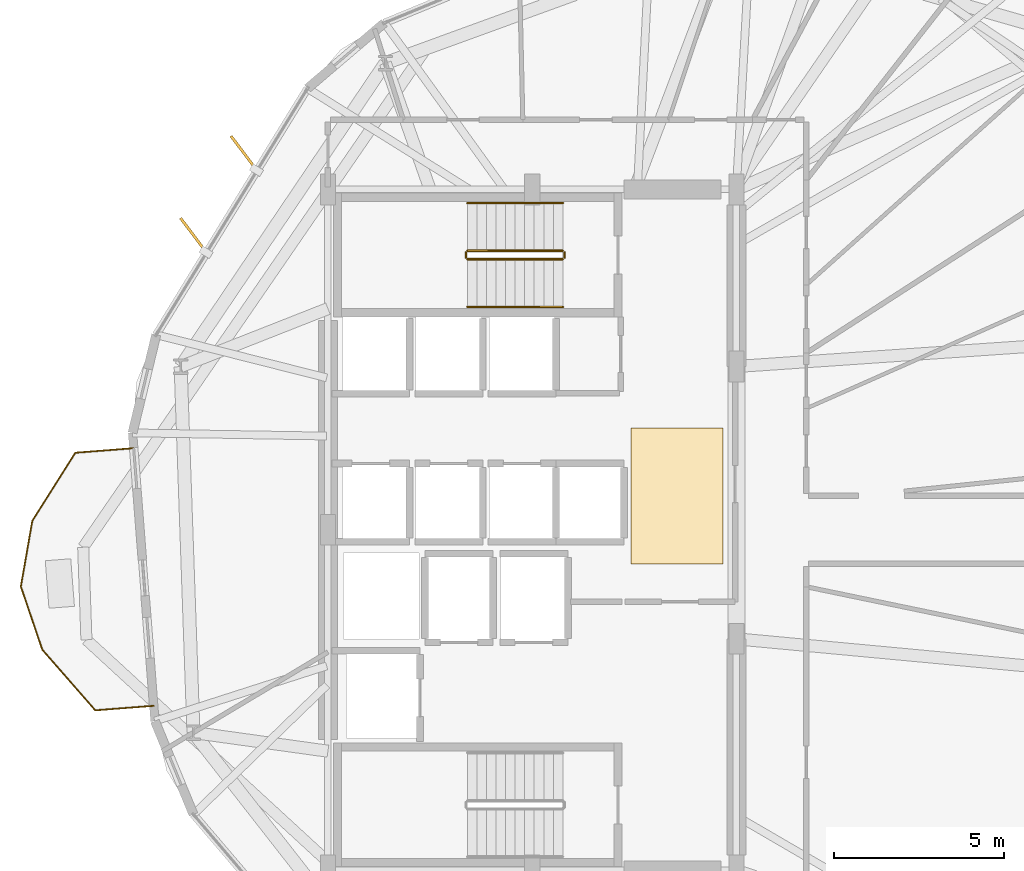
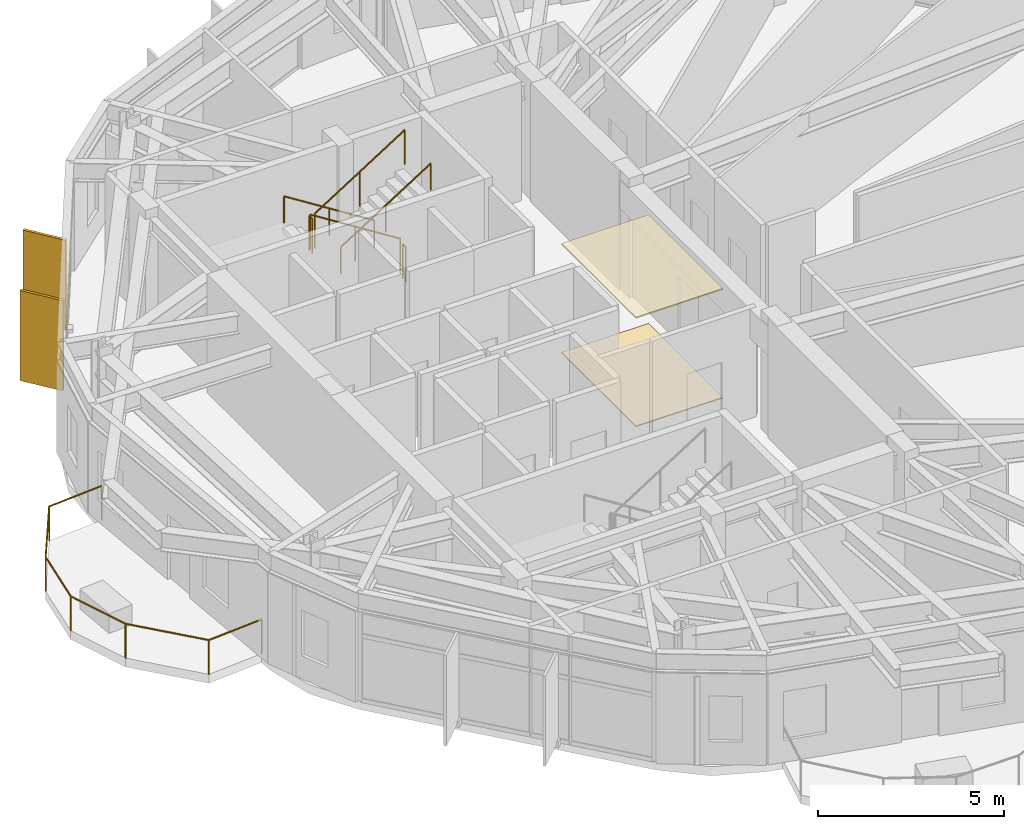
# One storey, part 20 of 21: 7 railings, 2 coverings, 2 shading devices.
"""IFC4 building model written with IfcOpenShell, lengths in metres."""

from ifc_helpers import new_model, si_unit, direction, frame, origin, origin_2d, place, context, subcontext, project, spatial, polyline, rectangle, circle, outline, extrude, material, layer, layer_set, type_object, element, save


model = new_model("IFC4")

# Units and contexts
model_context = context("Model", 3, precision=1e-05, world=origin(), true_north=direction((0.0, 1.0)))
body_context = subcontext(model_context, "Body", "Model", "MODEL_VIEW")
ifc_project = project(units=[si_unit("LENGTHUNIT", "METRE"), si_unit("AREAUNIT", "SQUARE_METRE"), si_unit("VOLUMEUNIT", "CUBIC_METRE"), si_unit("PLANEANGLEUNIT", "RADIAN"), si_unit("MASSUNIT", "GRAM", prefix="KILO")], contexts=[model_context])

# Site, building, storey
site_placement = place(None, origin())
site = spatial("IfcSite", under=ifc_project, at=site_placement, CompositionType="ELEMENT")
building_placement = place(site_placement, origin())
building = spatial("IfcBuilding", under=site, at=building_placement, Name="Soratama Intermodal Tower", CompositionType="ELEMENT")
storey_placement = place(building_placement, frame((0.0, 0.0, 114.699951171875)))
storey = spatial("IfcBuildingStorey", under=building, at=storey_placement, Name="L27", CompositionType="ELEMENT", Elevation=114.699951171875)

# Coverings
ifc_material_1 = material(Name="Perforated mineral acoustic ceiling", Category="concrete")
ifc_layer_1 = layer(ifc_material_1, 0.0400390625)
ifc_layer_set_1 = layer_set([ifc_layer_1], Name="Perforated mineral acoustic ceiling")
covering_type_1 = type_object("IfcCoveringType", Name="CV-CEIL-ACOUSTIC", PredefinedType="CEILING", material=ifc_layer_set_1)
covering_1_placement = place(storey_placement, frame((0.0, 0.0, 3.56005859375)))
element("IfcCovering", 1, at=covering_1_placement, inside=storey, type_object=covering_type_1, Name="L27 Acoustic Ceiling", PredefinedType="CEILING", context=body_context, shape_type="SweptSolid", body=[
    extrude(outline(polyline([(41.5, 24.0), (44.199951171875, 24.0), (44.199951171875, 28.0), (41.5, 28.0), (41.5, 24.0)])), origin(), (0.0, 0.0, 1.0), 0.0400390625),
])
ifc_material_2 = material(Name="Polished Andean stone terrazzo flooring", Category="masonry")
ifc_layer_2 = layer(ifc_material_2, 0.030029296875)
ifc_layer_set_2 = layer_set([ifc_layer_2], Name="Polished Andean stone terrazzo flooring")
covering_type_2 = type_object("IfcCoveringType", Name="CV-FLOR-TERRAZZO", PredefinedType="FLOORING", material=ifc_layer_set_2)
covering_2_placement = place(storey_placement, origin())
element("IfcCovering", 2, at=covering_2_placement, inside=storey, type_object=covering_type_2, Name="L27 Lobby Terrazzo Flooring", PredefinedType="FLOORING", context=body_context, shape_type="SweptSolid", body=[
    extrude(outline(polyline([(41.5, 24.0), (44.199951171875, 24.0), (44.199951171875, 28.0), (41.5, 28.0), (41.5, 24.0)])), origin(), (0.0, 0.0, 1.0), 0.030029296875),
])

# Railings
ifc_material_3 = material(Name="Laminated glass and stainless steel balustrade", Category="steel")
railing_type_1 = type_object("IfcRailingType", Name="RL-BAL-1150", PredefinedType="BALUSTRADE", material=ifc_material_3)
railing_1_placement = place(storey_placement, frame((27.4814453125, 19.832763671875, 0.0)))
element("IfcRailing", 3, at=railing_1_placement, inside=storey, type_object=railing_type_1, Name="L27 Balcony Balustrade 2", PredefinedType="BALUSTRADE", context=body_context, shape_type="SweptSolid", body=[
    extrude(circle(Radius=0.02392578125, at=origin_2d()), frame((0.0, 0.0, 1.1259765625), z_axis=(-0.997003333384, -0.077358601466, 0.0), x_axis=(0.077358601466, -0.997003333384, 0.0)), (0.0, 0.0, 1.0), 1.719970703125),
    extrude(circle(Radius=0.02392578125, at=origin_2d()), frame((-1.71484375, -0.133056640625, 1.1259765625), z_axis=(-0.658073726112, 0.752953498565, 0.0), x_axis=(-0.752953498565, -0.658073726112, 0.0)), (0.0, 0.0, 1.0), 2.3671875),
    extrude(circle(Radius=0.02392578125, at=origin_2d()), frame((-3.272705078125, 1.6494140625, 1.1259765625), z_axis=(-0.321831226168, 0.946797054211, 0.0), x_axis=(-0.946797054211, -0.321831226168, 0.0)), (0.0, 0.0, 1.0), 1.958740234375),
    extrude(circle(Radius=0.02392578125, at=origin_2d()), frame((-3.903076171875, 3.50390625, 1.1259765625), z_axis=(0.171772528067, 0.985136639559, 0.0), x_axis=(-0.985136639559, 0.171772528067, 0.0)), (0.0, 0.0, 1.0), 1.95849609375),
    extrude(circle(Radius=0.02392578125, at=origin_2d()), frame((-3.566650390625, 5.433349609375, 1.1259765625), z_axis=(0.533969711986, 0.845503605363, 0.0), x_axis=(-0.845503605363, 0.533969711986, 0.0)), (0.0, 0.0, 1.0), 2.367431640625),
    extrude(circle(Radius=0.02392578125, at=origin_2d()), frame((-2.302490234375, 7.43505859375, 1.1259765625), z_axis=(0.997003333384, 0.077358601466, 0.0), x_axis=(-0.077358601466, 0.997003333384, 0.0)), (0.0, 0.0, 1.0), 1.719970703125),
    extrude(circle(Radius=0.02099609375, at=origin_2d()), origin(), (0.0, 0.0, 1.0), 1.101806640625),
    extrude(circle(Radius=0.02099609375, at=origin_2d()), frame((-1.71484375, -0.133056640625, 0.0)), (0.0, 0.0, 1.0), 1.101806640625),
    extrude(circle(Radius=0.02099609375, at=origin_2d()), frame((-3.272705078125, 1.6494140625, 0.0)), (0.0, 0.0, 1.0), 1.101806640625),
    extrude(circle(Radius=0.02099609375, at=origin_2d()), frame((-3.903076171875, 3.50390625, 0.0)), (0.0, 0.0, 1.0), 1.101806640625),
    extrude(circle(Radius=0.02099609375, at=origin_2d()), frame((-3.566650390625, 5.433349609375, 0.0)), (0.0, 0.0, 1.0), 1.101806640625),
    extrude(circle(Radius=0.02099609375, at=origin_2d()), frame((-2.302490234375, 7.43505859375, 0.0)), (0.0, 0.0, 1.0), 1.101806640625),
    extrude(circle(Radius=0.02099609375, at=origin_2d()), frame((-0.587646484375, 7.568115234375, 0.0)), (0.0, 0.0, 1.0), 1.101806640625),
])
ifc_material_4 = material(Name="Painted steel stair guardrail", Category="steel")
railing_type_2 = type_object("IfcRailingType", Name="RL-STAIR-GUARD", PredefinedType="GUARDRAIL", material=ifc_material_4)
railing_2_placement = place(storey_placement, frame((39.5, 33.199951171875, 0.17724609375)))
element("IfcRailing", 4, at=railing_2_placement, inside=storey, type_object=railing_type_2, Name="L27 ST-2 stair guard 1", PredefinedType="GUARDRAIL", context=body_context, shape_type="SweptSolid", body=[
    extrude(circle(Radius=0.02392578125, at=origin_2d()), frame((0.0, 0.0, 1.1259765625), z_axis=(-0.844908973607, 0.0, 0.534910110503), x_axis=(0.0, -1.0, 0.0)), (0.0, 0.0, 1.0), 3.31396484375),
    extrude(circle(Radius=0.02099609375, at=origin_2d()), origin(), (0.0, 0.0, 1.0), 1.101806640625),
    extrude(circle(Radius=0.02099609375, at=origin_2d()), frame((-1.39990234375, 0.0, 0.88623046875)), (0.0, 0.0, 1.0), 1.101806640625),
    extrude(circle(Radius=0.02099609375, at=origin_2d()), frame((-2.800048828125, 0.0, 1.772705078125)), (0.0, 0.0, 1.0), 1.101806640625),
])
railing_3_placement = place(storey_placement, frame((36.64990234375, 33.14990234375, 1.949951171875)))
element("IfcRailing", 5, at=railing_3_placement, inside=storey, type_object=railing_type_2, Name="L27 ST-2 stair guard 2", PredefinedType="GUARDRAIL", context=body_context, shape_type="SweptSolid", body=[
    extrude(circle(Radius=0.02392578125, at=origin_2d()), frame((0.0, 0.0, 1.1259765625), z_axis=(0.0, -1.0, 0.0), x_axis=(1.0, 0.0, 0.0)), (0.0, 0.0, 1.0), 0.14990234375),
    extrude(circle(Radius=0.02099609375, at=origin_2d()), origin(), (0.0, 0.0, 1.0), 1.101806640625),
    extrude(circle(Radius=0.02099609375, at=origin_2d()), frame((0.0, -0.14990234375, 0.0)), (0.0, 0.0, 1.0), 1.101806640625),
])
railing_4_placement = place(storey_placement, frame((36.699951171875, 32.949951171875, 2.12744140625)))
element("IfcRailing", 6, at=railing_4_placement, inside=storey, type_object=railing_type_2, Name="L27 ST-2 stair guard 3", PredefinedType="GUARDRAIL", context=body_context, shape_type="SweptSolid", body=[
    extrude(circle(Radius=0.02392578125, at=origin_2d()), frame((0.0, 0.0, 1.1259765625), z_axis=(0.844908973607, 0.0, 0.534910110503), x_axis=(0.0, 1.0, 0.0)), (0.0, 0.0, 1.0), 3.31396484375),
    extrude(circle(Radius=0.02099609375, at=origin_2d()), origin(), (0.0, 0.0, 1.0), 1.101806640625),
    extrude(circle(Radius=0.02099609375, at=origin_2d()), frame((1.39990234375, 0.0, 0.88623046875)), (0.0, 0.0, 1.0), 1.101806640625),
    extrude(circle(Radius=0.02099609375, at=origin_2d()), frame((2.800048828125, 0.0, 1.772705078125)), (0.0, 0.0, 1.0), 1.101806640625),
])
railing_5_placement = place(storey_placement, frame((39.550048828125, 33.14990234375, 0.0)))
element("IfcRailing", 7, at=railing_5_placement, inside=storey, type_object=railing_type_2, Name="L27 ST-2 stair guard 4", PredefinedType="GUARDRAIL", context=body_context, shape_type="SweptSolid", body=[
    extrude(circle(Radius=0.02392578125, at=origin_2d()), frame((0.0, 0.0, 1.1259765625), z_axis=(0.0, -1.0, 0.0), x_axis=(1.0, 0.0, 0.0)), (0.0, 0.0, 1.0), 0.14990234375),
    extrude(circle(Radius=0.02099609375, at=origin_2d()), origin(), (0.0, 0.0, 1.0), 1.101806640625),
    extrude(circle(Radius=0.02099609375, at=origin_2d()), frame((0.0, -0.14990234375, 0.0)), (0.0, 0.0, 1.0), 1.101806640625),
])
ifc_material_5 = material(Name="Brushed stainless steel handrail", Category="steel")
railing_type_3 = type_object("IfcRailingType", Name="RL-STAIR-HAND", PredefinedType="HANDRAIL", material=ifc_material_5)
railing_6_placement = place(storey_placement, frame((39.5, 34.60009765625, 0.17724609375)))
element("IfcRailing", 8, at=railing_6_placement, inside=storey, type_object=railing_type_3, Name="L27 ST-2 stair handrail 1", PredefinedType="HANDRAIL", context=body_context, shape_type="SweptSolid", body=[
    extrude(circle(Radius=0.02392578125, at=origin_2d()), frame((0.0, 0.0, 0.8759765625), z_axis=(-0.844908973607, 0.0, 0.534910110503), x_axis=(0.0, -1.0, 0.0)), (0.0, 0.0, 1.0), 3.31396484375),
    extrude(circle(Radius=0.02099609375, at=origin_2d()), origin(), (0.0, 0.0, 1.0), 0.851806640625),
    extrude(circle(Radius=0.02099609375, at=origin_2d()), frame((-1.39990234375, 0.0, 0.88623046875)), (0.0, 0.0, 1.0), 0.851806640625),
    extrude(circle(Radius=0.02099609375, at=origin_2d()), frame((-2.800048828125, 0.0, 1.772705078125)), (0.0, 0.0, 1.0), 0.851806640625),
])
railing_7_placement = place(storey_placement, frame((36.699951171875, 31.550048828125, 2.12744140625)))
element("IfcRailing", 9, at=railing_7_placement, inside=storey, type_object=railing_type_3, Name="L27 ST-2 stair handrail 2", PredefinedType="HANDRAIL", context=body_context, shape_type="SweptSolid", body=[
    extrude(circle(Radius=0.02392578125, at=origin_2d()), frame((0.0, 0.0, 0.8759765625), z_axis=(0.844908973607, 0.0, 0.534910110503), x_axis=(0.0, 1.0, 0.0)), (0.0, 0.0, 1.0), 3.31396484375),
    extrude(circle(Radius=0.02099609375, at=origin_2d()), origin(), (0.0, 0.0, 1.0), 0.851806640625),
    extrude(circle(Radius=0.02099609375, at=origin_2d()), frame((1.39990234375, 0.0, 0.88623046875)), (0.0, 0.0, 1.0), 0.851806640625),
    extrude(circle(Radius=0.02099609375, at=origin_2d()), frame((2.800048828125, 0.0, 1.772705078125)), (0.0, 0.0, 1.0), 0.851806640625),
])

# Shading devices
ifc_material_6 = material(Name="Champagne anodised aluminium solar fin", Category="aluminium")
ifc_layer_3 = layer(ifc_material_6, 0.080078125)
ifc_layer_set_3 = layer_set([ifc_layer_3], Name="Champagne anodised aluminium solar fin")
shading_device_type = type_object("IfcShadingDeviceType", Name="SH-FIN-1250", PredefinedType="USERDEFINED", material=ifc_layer_set_3)
for number, where, z_axis, x_axis, name in (
    (10, (30.12841796875, 36.0712890625, 0.02001953125), (0.0, 0.0, 1.0), (-0.602651022168, 0.798004853043, 0.0), "L27 Solar Fin F04-1"),
    (11, (28.647216796875, 33.659912109375, 0.02001953125), (0.0, 0.0, 1.0), (-0.602651022168, 0.798004853043, 0.0), "L27 Solar Fin F04-2"),
):
    element("IfcShadingDevice", number, at=place(storey_placement, frame(where, z_axis=z_axis, x_axis=x_axis)), inside=storey, type_object=shading_device_type, Name=name, ObjectType="FIN", PredefinedType="USERDEFINED", context=body_context, shape_type="SweptSolid", body=[
        extrude(rectangle(XDim=1.25, YDim=0.080078125, at=origin_2d()), origin(), (0.0, 0.0, 1.0), 2.958984375),
    ])

save(model, "model.ifc")
